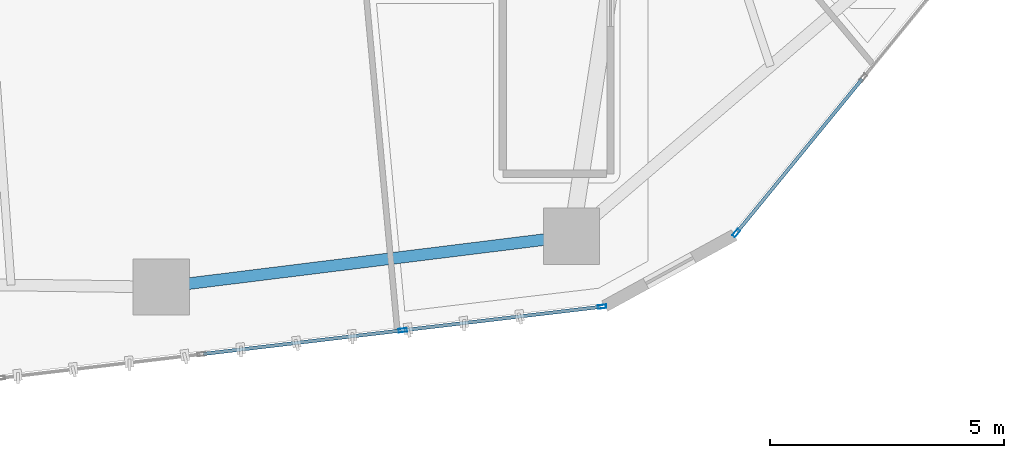
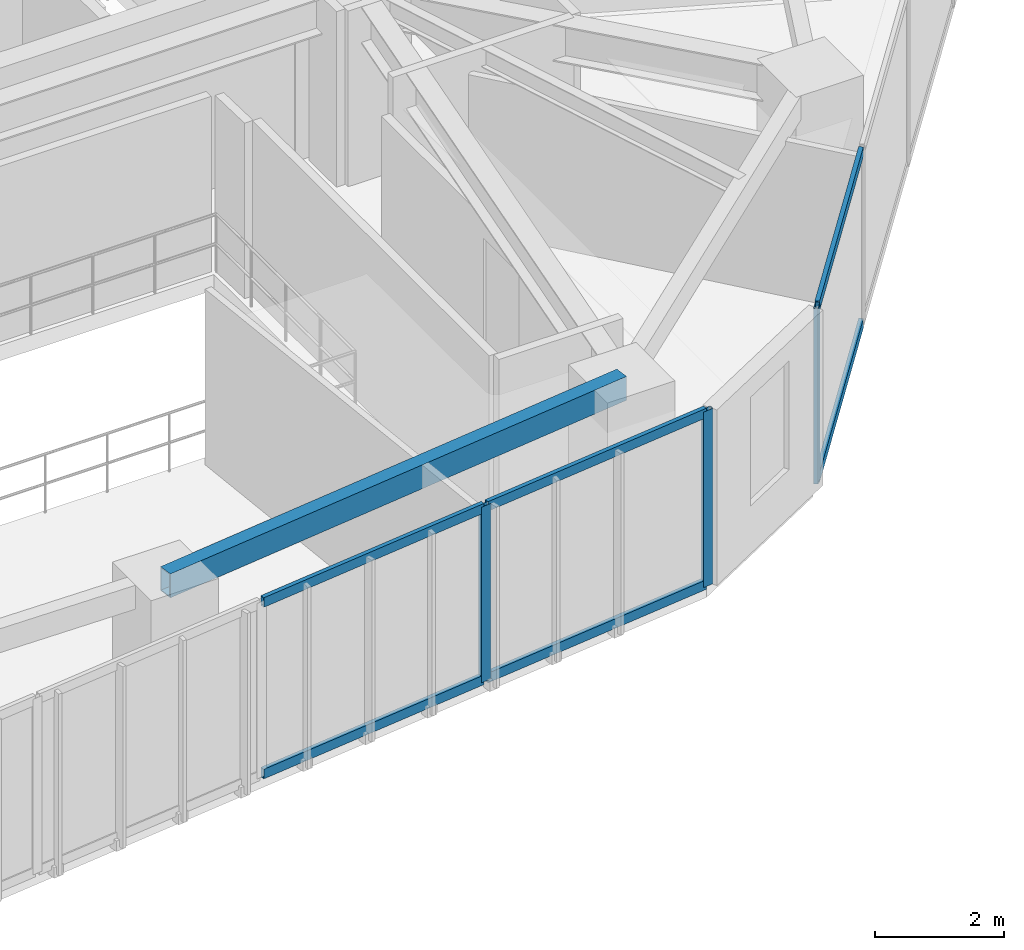
# One storey, part 6 of 24: 9 members, 1 beam, 2 elements without a shape of their own.
"""IFC4 building model written with IfcOpenShell, lengths in metres."""

import ifcopenshell
import ifcopenshell.guid

model = None  # the IFC model being written
_history = None  # IfcOwnerHistory: only IFC2X3 demands one
_inside = {}  # id of a spatial element -> (the spatial element, [elements in it])
_under = {}  # id of a project, library or spatial element -> (it, [spatial elements below it])
_declared = {}  # id of a project -> (the project, [libraries it declares])
_typed = {}  # id of a type object -> (the type object, [elements of that type])
_made_of = {}  # id of a material, layer set ... -> (it, [elements and type objects made of it])


def new_model(schema):
    """Start an empty IFC model of exactly this schema.

    Asked for "IFC4X3", IfcOpenShell would pick the latest addendum, in which some entities
    have other attributes; the version numbers below select the first issue.
    IFC2X3 requires an IfcOwnerHistory on every rooted entity: one is made here for all.
    """
    global model, _history
    if schema == "IFC4X3":
        model = ifcopenshell.file(schema_version=(4, 3, 0, 0))
    else:
        model = ifcopenshell.file(schema=schema)
    _inside.clear()
    _under.clear()
    _declared.clear()
    _typed.clear()
    _made_of.clear()
    _history = None
    if model.schema == "IFC2X3":
        org = make("IfcOrganization", Name="unknown")
        user = make(
            "IfcPersonAndOrganization",
            ThePerson=make("IfcPerson", FamilyName="unknown"),
            TheOrganization=org,
        )
        app = make(
            "IfcApplication",
            ApplicationDeveloper=org,
            Version="unknown",
            ApplicationFullName="unknown",
            ApplicationIdentifier="unknown",
        )
        _history = make(
            "IfcOwnerHistory",
            OwningUser=user,
            OwningApplication=app,
            ChangeAction="ADDED",
            CreationDate=0,
        )
    return model


def make(cls, **values):
    """One entity of the class cls with the attributes given. An attribute that is None is left unset."""
    return model.create_entity(
        cls, **{name: value for name, value in values.items() if value is not None}
    )


def rooted(cls, **values):
    """An entity with a GlobalId (a new one), such as an element, a storey or a relation."""
    return make(cls, GlobalId=ifcopenshell.guid.new(), OwnerHistory=_history, **values)


def si_unit(unit_type, name, prefix=None):
    """IfcSIUnit, for example si_unit("LENGTHUNIT", "METRE", prefix="MILLI")."""
    return make("IfcSIUnit", UnitType=unit_type, Prefix=prefix, Name=name)


def assignment(units):
    """IfcUnitAssignment: the units of a project."""
    return None if units is None else make("IfcUnitAssignment", Units=units)


def point(xyz):
    """IfcCartesianPoint."""
    return None if xyz is None else make("IfcCartesianPoint", Coordinates=xyz)


def direction(xyz):
    """IfcDirection."""
    return None if xyz is None else make("IfcDirection", DirectionRatios=xyz)


def frame(location, z_axis=None, x_axis=None):
    """IfcAxis2Placement3D, a coordinate frame: its origin and axes. An axis left out is left unset."""
    return make(
        "IfcAxis2Placement3D",
        Location=point(location),
        Axis=direction(z_axis),
        RefDirection=direction(x_axis),
    )


def frame_2d(location, x_axis=None):
    """IfcAxis2Placement2D, a coordinate frame in the plane: its origin and x axis."""
    return make(
        "IfcAxis2Placement2D", Location=point(location), RefDirection=direction(x_axis)
    )


def origin():
    """The frame at (0, 0, 0) with its axes left unset."""
    return frame((0.0, 0.0, 0.0))


def origin_2d():
    """The frame at (0, 0) in the plane with its x axis left unset."""
    return frame_2d((0.0, 0.0))


def place(relative_to, where):
    """IfcLocalPlacement: puts the frame where relative to a parent placement (None: the world)."""
    return make(
        "IfcLocalPlacement", PlacementRelTo=relative_to, RelativePlacement=where
    )


def context(
    kind, dimensions, precision=None, world=None, true_north=None, identifier=None
):
    """IfcGeometricRepresentationContext, for example the 3D "Model" context."""
    return make(
        "IfcGeometricRepresentationContext",
        ContextIdentifier=identifier,
        ContextType=kind,
        CoordinateSpaceDimension=dimensions,
        Precision=precision,
        WorldCoordinateSystem=world,
        TrueNorth=true_north,
    )


def subcontext(parent, identifier, kind, view, scale=None):
    """IfcGeometricRepresentationSubContext, for example "Body" below "Model"."""
    return make(
        "IfcGeometricRepresentationSubContext",
        ContextIdentifier=identifier,
        ContextType=kind,
        ParentContext=parent,
        TargetScale=scale,
        TargetView=view,
    )


def project(units=None, contexts=None):
    """IfcProject with its units and contexts."""
    return rooted(
        "IfcProject",
        Name="project",
        RepresentationContexts=contexts,
        UnitsInContext=assignment(units),
    )


def spatial(cls, under=None, at=None, **own):
    """A site, building, storey or space (cls), placed at a placement, below another one or the project."""
    s = rooted(cls, ObjectPlacement=at, **own)
    if under is not None:
        _under.setdefault(under.id(), (under, []))[1].append(s)
    return s


def profile(cls, at=None, kind="AREA", **sizes):
    """A parametric profile (cls). Its sizes go by their IFC names, for example OverallWidth=200.0."""
    return make(cls, ProfileType=kind, Position=at, **sizes)


def hollow_rectangle(**sizes):
    """IfcRectangleHollowProfileDef."""
    return profile("IfcRectangleHollowProfileDef", **sizes)


def extrude(swept, where, along, depth):
    """IfcExtrudedAreaSolid: the profile swept, set in the frame where, extruded along a direction by depth."""
    return make(
        "IfcExtrudedAreaSolid",
        SweptArea=swept,
        Position=where,
        ExtrudedDirection=direction(along),
        Depth=depth,
    )


def shape(context_of_items, identifier, shape_type, items):
    """IfcShapeRepresentation: the items that make up one representation, for example the "Body"."""
    return make(
        "IfcShapeRepresentation",
        ContextOfItems=context_of_items,
        RepresentationIdentifier=identifier,
        RepresentationType=shape_type,
        Items=items,
    )


def source(mapping_origin, context_of_items, identifier, shape_type, items):
    """IfcRepresentationMap: a shape defined once, which mapped items show again and again."""
    return make(
        "IfcRepresentationMap",
        MappingOrigin=mapping_origin,
        MappedRepresentation=shape(context_of_items, identifier, shape_type, items),
    )


def transform(
    local_origin,
    x_axis=None,
    y_axis=None,
    z_axis=None,
    scale=None,
    scale2=None,
    scale3=None,
    uniform=True,
):
    """IfcCartesianTransformationOperator3D, or its non-uniform kind. x_axis, y_axis, z_axis: its Axis1, 2, 3."""
    if uniform:
        return make(
            "IfcCartesianTransformationOperator3D",
            Axis1=direction(x_axis),
            Axis2=direction(y_axis),
            LocalOrigin=point(local_origin),
            Scale=scale,
            Axis3=direction(z_axis),
        )
    return make(
        "IfcCartesianTransformationOperator3DnonUniform",
        Axis1=direction(x_axis),
        Axis2=direction(y_axis),
        LocalOrigin=point(local_origin),
        Scale=scale,
        Axis3=direction(z_axis),
        Scale2=scale2,
        Scale3=scale3,
    )


def mapped(mapping_source, mapping_target):
    """IfcMappedItem: shows the shape of a source again, moved by a transform."""
    return make(
        "IfcMappedItem", MappingSource=mapping_source, MappingTarget=mapping_target
    )


def material(Name=None, Category=None):
    """IfcMaterial."""
    return make("IfcMaterial", Name=Name, Category=Category)


def layer(
    of_material, thickness, ventilated=None, Name=None, Category=None, Priority=None
):
    """IfcMaterialLayer: one layer of a wall or slab, of a material (None: an air gap)."""
    return make(
        "IfcMaterialLayer",
        Material=of_material,
        LayerThickness=thickness,
        IsVentilated=ventilated,
        Name=Name,
        Category=Category,
        Priority=Priority,
    )


def layer_set(layers, Name=None):
    """IfcMaterialLayerSet."""
    return make("IfcMaterialLayerSet", MaterialLayers=layers, LayerSetName=Name)


def material_profile(
    of_material, cross_section, Name=None, Category=None, Priority=None
):
    """IfcMaterialProfile: a cross section and its material."""
    return make(
        "IfcMaterialProfile",
        Name=Name,
        Material=of_material,
        Profile=cross_section,
        Priority=Priority,
        Category=Category,
    )


def profile_set(profiles, Name=None, composite=None):
    """IfcMaterialProfileSet."""
    return make(
        "IfcMaterialProfileSet",
        Name=Name,
        MaterialProfiles=profiles,
        CompositeProfile=composite,
    )


def made_of(thing, what):
    """Note that an element or type object is made of a material, layer set ...; save() writes the relation."""
    if what is not None:
        _made_of.setdefault(what.id(), (what, []))[1].append(thing)
    return thing


def type_object(cls, material=None, **own):
    """A type object (cls), such as IfcWallType, which elements share."""
    return made_of(rooted(cls, **own), material)


def type_shapes(of_type, sources):
    """Give a type object the sources (RepresentationMaps) that its elements show as mapped items."""
    of_type.RepresentationMaps = sources


def element(
    cls,
    number,
    at=None,
    inside=None,
    cuts=None,
    type_object=None,
    material=None,
    context=None,
    identifier="Body",
    shape_type=None,
    held_by="IfcProductDefinitionShape",
    body=None,
    shapes=None,
    **own,
):
    """One element of the class cls, such as IfcWall. Its Tag is "e" and its number.

    at: its placement. inside: the storey or other place that contains it. cuts: it is an
    opening in that element (IfcRelVoidsElement). A single representation is given by context,
    identifier, shape_type and body (its items); several are given by shapes. held_by: the class
    of the entity that holds the representations. save() writes the other relations.
    """
    e = rooted(cls, Tag="e%d" % number, ObjectPlacement=at, **own)
    if body is not None:
        shapes = [shape(context, identifier, shape_type, body)]
    if shapes is not None:
        e.Representation = make(held_by, Representations=shapes)
    if inside is not None:
        _inside.setdefault(inside.id(), (inside, []))[1].append(e)
    if cuts is not None:
        rooted(
            "IfcRelVoidsElement", RelatingBuildingElement=cuts, RelatedOpeningElement=e
        )
    if type_object is not None:
        _typed.setdefault(type_object.id(), (type_object, []))[1].append(e)
    return made_of(e, material)


def aggregate(whole, parts):
    """IfcRelAggregates: a whole, such as a stair, and the parts it consists of."""
    return rooted("IfcRelAggregates", RelatingObject=whole, RelatedObjects=parts)


def save(model, path):
    """Write the relations noted so far, then the file.

    IfcRelAggregates (storeys below a building ...), IfcRelContainedInSpatialStructure (elements
    in a storey), IfcRelDefinesByType, IfcRelAssociatesMaterial and IfcRelDeclares: one each for
    every whole, place, type object, material and project.
    """
    for whole, parts in _under.values():
        aggregate(whole, parts)
    for where, things in _inside.values():
        rooted(
            "IfcRelContainedInSpatialStructure",
            RelatedElements=things,
            RelatingStructure=where,
        )
    for kind, things in _typed.values():
        rooted("IfcRelDefinesByType", RelatedObjects=things, RelatingType=kind)
    for what, things in _made_of.values():
        rooted("IfcRelAssociatesMaterial", RelatedObjects=things, RelatingMaterial=what)
    for by, libraries in _declared.values():
        rooted("IfcRelDeclares", RelatingContext=by, RelatedDefinitions=libraries)
    model.write(path)


model = new_model("IFC4")

# Units and contexts
model_context = context("Model", 3, precision=1e-05, world=origin(), true_north=direction((0.0, 1.0)))
body_context = subcontext(model_context, "Body", "Model", "MODEL_VIEW")
ifc_project = project(units=[si_unit("LENGTHUNIT", "METRE"), si_unit("AREAUNIT", "SQUARE_METRE"), si_unit("VOLUMEUNIT", "CUBIC_METRE"), si_unit("PLANEANGLEUNIT", "RADIAN"), si_unit("MASSUNIT", "GRAM", prefix="KILO")], contexts=[model_context])

# Site, building, storey
site_placement = place(None, origin())
site = spatial("IfcSite", under=ifc_project, at=site_placement, CompositionType="ELEMENT")
building_placement = place(site_placement, origin())
building = spatial("IfcBuilding", under=site, at=building_placement, Name="Talar Marvaseh", CompositionType="ELEMENT")
storey_placement = place(building_placement, frame((0.0, 0.0, 111.0)))
storey = spatial("IfcBuildingStorey", under=building, at=storey_placement, Name="L28", CompositionType="ELEMENT", Elevation=111.0)

# Beam
ifc_material_1 = material(Name="Steel S355", Category="steel")
ifc_material_profile_1 = material_profile(ifc_material_1, hollow_rectangle(XDim=0.25, YDim=0.449951171875, WallThickness=0.01611328125, at=origin_2d()), Name="RHS450x250x16")
ifc_profile_set_1 = profile_set([ifc_material_profile_1], Name="Steel S355")
beam_type = type_object("IfcBeamType", Name="Zone 2 Perimeter Spandrel Beam RHS450x250x16", PredefinedType="SPANDREL", material=ifc_profile_set_1)
beam_placement = place(storey_placement, frame((31.570068359375, 14.26806640625, 3.0849609375), z_axis=(-0.992426007218, -0.122843885468, 0.0), x_axis=(0.122843885468, -0.992426007218, 0.0)))
element("IfcBeam", 1, at=beam_placement, inside=storey, type_object=beam_type, Name="L28 Zone 2 Perimeter Spandrel Beam RHS450x250x16", PredefinedType="SPANDREL", context=body_context, shape_type="SweptSolid", body=[
    extrude(hollow_rectangle(XDim=0.25, YDim=0.449951171875, WallThickness=0.01611328125, at=origin_2d()), origin(), (0.0, 0.0, 1.0), 8.83203125),
])

# Curtain wall, member
ifc_material_2 = material(Name="Architectural Aluminium", Category="aluminium")
ifc_layer = layer(ifc_material_2, 0.199951171875)
ifc_layer_set = layer_set([ifc_layer], Name="Architectural Aluminium")
curtain_wall_type = type_object("IfcCurtainWallType", Name="Unitised Acoustic Library Curtain Wall Z2", PredefinedType="NOTDEFINED", material=ifc_layer_set)
curtain_wall_1_placement = place(storey_placement, origin())
curtain_wall_1 = element("IfcCurtainWall", 2, at=curtain_wall_1_placement, inside=storey, type_object=curtain_wall_type, Name="L28 Unitised Acoustic Library Curtain Wall Z2", PredefinedType="NOTDEFINED")
ifc_material_profile_2 = material_profile(ifc_material_2, hollow_rectangle(XDim=0.074951171875, YDim=0.179931640625, WallThickness=0.0048828125, at=origin_2d()), Name="RHS180x75x5")
ifc_profile_set_2 = profile_set([ifc_material_profile_2], Name="Architectural Aluminium")
member_type_1 = type_object("IfcMemberType", Name="Unitised Curtain Wall Standard Mullion RHS180x75x5", PredefinedType="MULLION", material=ifc_profile_set_2)
shared_shape_1 = source(origin(), body_context, "Body", "SweptSolid", [
    extrude(hollow_rectangle(XDim=0.074951171875, YDim=0.179931640625, WallThickness=0.0048828125, at=origin_2d()), origin(), (0.0, 0.0, 1.0), 3.31005859375),
])
type_shapes(member_type_1, [shared_shape_1])
member_1_placement = place(storey_placement, frame((35.0869140625, 14.335693359375, 0.0), z_axis=(0.0, 0.0, 1.0), x_axis=(0.774295813589, -0.632823824661, 0.0)))
member_1 = element("IfcMember", 3, at=member_1_placement, type_object=member_type_1, Name="CW-Z2 mullion 6", PredefinedType="MULLION", context=body_context, shape_type="MappedRepresentation", body=[
    mapped(shared_shape_1, transform((0.0, 0.0, 0.0), x_axis=(1.0, 0.0, 0.0), y_axis=(0.0, 1.0, 0.0), z_axis=(0.0, 0.0, 1.0), scale=1.0)),
])

# Curtain wall, members
curtain_wall_2_placement = place(storey_placement, origin())
curtain_wall_2 = element("IfcCurtainWall", 4, at=curtain_wall_2_placement, inside=storey, type_object=curtain_wall_type, Name="L28 Unitised Acoustic Library Curtain Wall Z2", PredefinedType="NOTDEFINED")
member_2_placement = place(storey_placement, frame((32.22021484375, 12.762939453125, 0.0), z_axis=(0.0, 0.0, 1.0), x_axis=(0.117690940754, -0.993050271872, 0.0)))
member_2 = element("IfcMember", 5, at=member_2_placement, type_object=member_type_1, Name="CW-Z2 mullion 1", PredefinedType="MULLION", context=body_context, shape_type="MappedRepresentation", body=[
    mapped(shared_shape_1, transform((0.0, 0.0, 0.0), x_axis=(1.0, 0.0, 0.0), y_axis=(0.0, 1.0, 0.0), z_axis=(0.0, 0.0, 1.0), scale=1.0)),
])
member_3_placement = place(storey_placement, frame((27.964111328125, 12.258544921875, 0.0), z_axis=(0.0, 0.0, 1.0), x_axis=(0.117690940754, -0.993050271872, 0.0)))
member_3 = element("IfcMember", 6, at=member_3_placement, type_object=member_type_1, Name="CW-Z2 mullion 2", PredefinedType="MULLION", context=body_context, shape_type="MappedRepresentation", body=[
    mapped(shared_shape_1, transform((0.0, 0.0, 0.0), x_axis=(1.0, 0.0, 0.0), y_axis=(0.0, 1.0, 0.0), z_axis=(0.0, 0.0, 1.0), scale=1.0)),
])
ifc_material_profile_3 = material_profile(ifc_material_2, hollow_rectangle(XDim=0.074951171875, YDim=0.179931640625, WallThickness=0.0048828125, at=origin_2d()), Name="RHS180x75x5")
ifc_profile_set_3 = profile_set([ifc_material_profile_3], Name="Architectural Aluminium")
member_type_2 = type_object("IfcMemberType", Name="Unitised Curtain Wall Transom RHS180x75x5", PredefinedType="USERDEFINED", material=ifc_profile_set_3)
shared_shape_2 = source(origin(), body_context, "Body", "SweptSolid", [
    extrude(hollow_rectangle(XDim=0.074951171875, YDim=0.179931640625, WallThickness=0.0048828125, at=origin_2d()), origin(), (0.0, 0.0, 1.0), 4.211181640625),
])
member_4_placement = place(storey_placement, frame((32.18310546875, 12.758544921875, 0.03759765625), z_axis=(-0.993050517995, -0.117688864004, 0.0), x_axis=(0.117688864004, -0.993050517995, 0.0)))
member_4 = element("IfcMember", 7, at=member_4_placement, type_object=member_type_2, Name="CW-Z2 transom 1.1", ObjectType="TRANSOM", PredefinedType="USERDEFINED", context=body_context, shape_type="MappedRepresentation", body=[
    mapped(shared_shape_2, transform((0.0, 0.0, 0.0), x_axis=(1.0, 0.0, 0.0), y_axis=(0.0, 1.0, 0.0), z_axis=(0.0, 0.0, 1.0), scale=1.0)),
])
member_5_placement = place(storey_placement, frame((32.18310546875, 12.758544921875, 3.2724609375), z_axis=(-0.993050517995, -0.117688864004, 0.0), x_axis=(0.117688864004, -0.993050517995, 0.0)))
member_5 = element("IfcMember", 8, at=member_5_placement, type_object=member_type_2, Name="CW-Z2 transom 1.2", ObjectType="TRANSOM", PredefinedType="USERDEFINED", context=body_context, shape_type="MappedRepresentation", body=[
    mapped(shared_shape_2, transform((0.0, 0.0, 0.0), x_axis=(1.0, 0.0, 0.0), y_axis=(0.0, 1.0, 0.0), z_axis=(0.0, 0.0, 1.0), scale=1.0)),
])
shared_shape_3 = source(origin(), body_context, "Body", "SweptSolid", [
    extrude(hollow_rectangle(XDim=0.074951171875, YDim=0.179931640625, WallThickness=0.0048828125, at=origin_2d()), origin(), (0.0, 0.0, 1.0), 4.24853515625),
])
member_6_placement = place(storey_placement, frame((27.9267578125, 12.254150390625, 0.03759765625), z_axis=(-0.99305061131, -0.117688076614, 0.0), x_axis=(0.117688076614, -0.99305061131, 0.0)))
member_6 = element("IfcMember", 9, at=member_6_placement, type_object=member_type_2, Name="CW-Z2 transom 2.1", ObjectType="TRANSOM", PredefinedType="USERDEFINED", context=body_context, shape_type="MappedRepresentation", body=[
    mapped(shared_shape_3, transform((0.0, 0.0, 0.0), x_axis=(1.0, 0.0, 0.0), y_axis=(0.0, 1.0, 0.0), z_axis=(0.0, 0.0, 1.0), scale=1.0)),
])
member_7_placement = place(storey_placement, frame((27.9267578125, 12.254150390625, 3.2724609375), z_axis=(-0.99305061131, -0.117688076614, 0.0), x_axis=(0.117688076614, -0.99305061131, 0.0)))
member_7 = element("IfcMember", 10, at=member_7_placement, type_object=member_type_2, Name="CW-Z2 transom 2.2", ObjectType="TRANSOM", PredefinedType="USERDEFINED", context=body_context, shape_type="MappedRepresentation", body=[
    mapped(shared_shape_3, transform((0.0, 0.0, 0.0), x_axis=(1.0, 0.0, 0.0), y_axis=(0.0, 1.0, 0.0), z_axis=(0.0, 0.0, 1.0), scale=1.0)),
])
aggregate(curtain_wall_2, [member_2, member_3, member_4, member_5, member_6, member_7])

# Member
shared_shape_4 = source(origin(), body_context, "Body", "SweptSolid", [
    extrude(hollow_rectangle(XDim=0.074951171875, YDim=0.179931640625, WallThickness=0.0048828125, at=origin_2d()), origin(), (0.0, 0.0, 1.0), 4.2109375),
])
type_shapes(member_type_2, [shared_shape_2, shared_shape_3, shared_shape_4])
member_8_placement = place(storey_placement, frame((37.775390625, 17.625244140625, 0.03759765625), z_axis=(-0.632827264588, -0.77429300216, 0.0), x_axis=(0.77429300216, -0.632827264588, 0.0)))
member_8 = element("IfcMember", 11, at=member_8_placement, type_object=member_type_2, Name="CW-Z2 transom 5.1", ObjectType="TRANSOM", PredefinedType="USERDEFINED", context=body_context, shape_type="MappedRepresentation", body=[
    mapped(shared_shape_4, transform((0.0, 0.0, 0.0), x_axis=(1.0, 0.0, 0.0), y_axis=(0.0, 1.0, 0.0), z_axis=(0.0, 0.0, 1.0), scale=1.0)),
])

member_9_placement = place(storey_placement, frame((37.775390625, 17.625244140625, 3.2724609375), z_axis=(-0.632827264588, -0.77429300216, 0.0), x_axis=(0.77429300216, -0.632827264588, 0.0)))
member_9 = element("IfcMember", 12, at=member_9_placement, type_object=member_type_2, Name="CW-Z2 transom 5.2", ObjectType="TRANSOM", PredefinedType="USERDEFINED", context=body_context, shape_type="MappedRepresentation", body=[
    mapped(shared_shape_4, transform((0.0, 0.0, 0.0), x_axis=(1.0, 0.0, 0.0), y_axis=(0.0, 1.0, 0.0), z_axis=(0.0, 0.0, 1.0), scale=1.0)),
])

aggregate(curtain_wall_1, [member_1, member_8, member_9])

save(model, "model.ifc")
